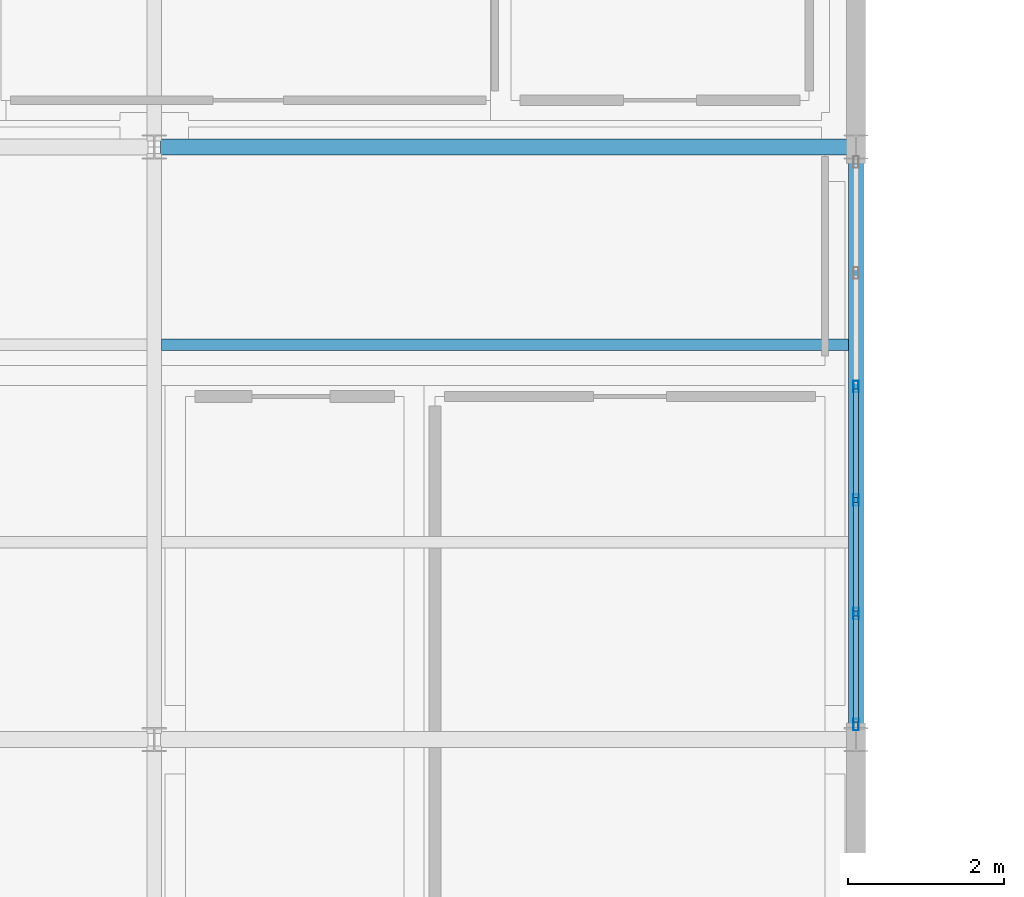
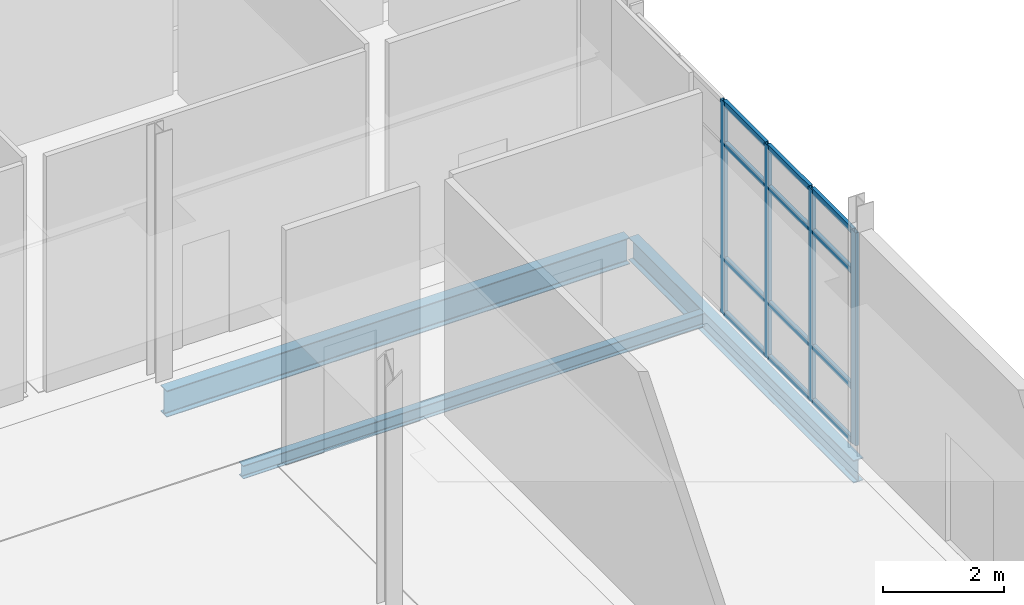
# One storey, part 118 of 161: 16 members, 3 beams, 1 element without a shape of its own.
"""IFC4 building model written with IfcOpenShell, lengths in metres."""

import ifcopenshell
import ifcopenshell.guid

model = None  # the IFC model being written
_history = None  # IfcOwnerHistory: only IFC2X3 demands one
_inside = {}  # id of a spatial element -> (the spatial element, [elements in it])
_under = {}  # id of a project, library or spatial element -> (it, [spatial elements below it])
_declared = {}  # id of a project -> (the project, [libraries it declares])
_typed = {}  # id of a type object -> (the type object, [elements of that type])
_made_of = {}  # id of a material, layer set ... -> (it, [elements and type objects made of it])


def new_model(schema):
    """Start an empty IFC model of exactly this schema.

    Asked for "IFC4X3", IfcOpenShell would pick the latest addendum, in which some entities
    have other attributes; the version numbers below select the first issue.
    IFC2X3 requires an IfcOwnerHistory on every rooted entity: one is made here for all.
    """
    global model, _history
    if schema == "IFC4X3":
        model = ifcopenshell.file(schema_version=(4, 3, 0, 0))
    else:
        model = ifcopenshell.file(schema=schema)
    _inside.clear()
    _under.clear()
    _declared.clear()
    _typed.clear()
    _made_of.clear()
    _history = None
    if model.schema == "IFC2X3":
        org = make("IfcOrganization", Name="unknown")
        user = make(
            "IfcPersonAndOrganization",
            ThePerson=make("IfcPerson", FamilyName="unknown"),
            TheOrganization=org,
        )
        app = make(
            "IfcApplication",
            ApplicationDeveloper=org,
            Version="unknown",
            ApplicationFullName="unknown",
            ApplicationIdentifier="unknown",
        )
        _history = make(
            "IfcOwnerHistory",
            OwningUser=user,
            OwningApplication=app,
            ChangeAction="ADDED",
            CreationDate=0,
        )
    return model


def make(cls, **values):
    """One entity of the class cls with the attributes given. An attribute that is None is left unset."""
    return model.create_entity(
        cls, **{name: value for name, value in values.items() if value is not None}
    )


def rooted(cls, **values):
    """An entity with a GlobalId (a new one), such as an element, a storey or a relation."""
    return make(cls, GlobalId=ifcopenshell.guid.new(), OwnerHistory=_history, **values)


def si_unit(unit_type, name, prefix=None):
    """IfcSIUnit, for example si_unit("LENGTHUNIT", "METRE", prefix="MILLI")."""
    return make("IfcSIUnit", UnitType=unit_type, Prefix=prefix, Name=name)


def assignment(units):
    """IfcUnitAssignment: the units of a project."""
    return None if units is None else make("IfcUnitAssignment", Units=units)


def point(xyz):
    """IfcCartesianPoint."""
    return None if xyz is None else make("IfcCartesianPoint", Coordinates=xyz)


def direction(xyz):
    """IfcDirection."""
    return None if xyz is None else make("IfcDirection", DirectionRatios=xyz)


def frame(location, z_axis=None, x_axis=None):
    """IfcAxis2Placement3D, a coordinate frame: its origin and axes. An axis left out is left unset."""
    return make(
        "IfcAxis2Placement3D",
        Location=point(location),
        Axis=direction(z_axis),
        RefDirection=direction(x_axis),
    )


def frame_2d(location, x_axis=None):
    """IfcAxis2Placement2D, a coordinate frame in the plane: its origin and x axis."""
    return make(
        "IfcAxis2Placement2D", Location=point(location), RefDirection=direction(x_axis)
    )


def origin():
    """The frame at (0, 0, 0) with its axes left unset."""
    return frame((0.0, 0.0, 0.0))


def origin_2d():
    """The frame at (0, 0) in the plane with its x axis left unset."""
    return frame_2d((0.0, 0.0))


def place(relative_to, where):
    """IfcLocalPlacement: puts the frame where relative to a parent placement (None: the world)."""
    return make(
        "IfcLocalPlacement", PlacementRelTo=relative_to, RelativePlacement=where
    )


def context(
    kind, dimensions, precision=None, world=None, true_north=None, identifier=None
):
    """IfcGeometricRepresentationContext, for example the 3D "Model" context."""
    return make(
        "IfcGeometricRepresentationContext",
        ContextIdentifier=identifier,
        ContextType=kind,
        CoordinateSpaceDimension=dimensions,
        Precision=precision,
        WorldCoordinateSystem=world,
        TrueNorth=true_north,
    )


def subcontext(parent, identifier, kind, view, scale=None):
    """IfcGeometricRepresentationSubContext, for example "Body" below "Model"."""
    return make(
        "IfcGeometricRepresentationSubContext",
        ContextIdentifier=identifier,
        ContextType=kind,
        ParentContext=parent,
        TargetScale=scale,
        TargetView=view,
    )


def project(units=None, contexts=None):
    """IfcProject with its units and contexts."""
    return rooted(
        "IfcProject",
        Name="project",
        RepresentationContexts=contexts,
        UnitsInContext=assignment(units),
    )


def spatial(cls, under=None, at=None, **own):
    """A site, building, storey or space (cls), placed at a placement, below another one or the project."""
    s = rooted(cls, ObjectPlacement=at, **own)
    if under is not None:
        _under.setdefault(under.id(), (under, []))[1].append(s)
    return s


def profile(cls, at=None, kind="AREA", **sizes):
    """A parametric profile (cls). Its sizes go by their IFC names, for example OverallWidth=200.0."""
    return make(cls, ProfileType=kind, Position=at, **sizes)


def hollow_rectangle(**sizes):
    """IfcRectangleHollowProfileDef."""
    return profile("IfcRectangleHollowProfileDef", **sizes)


def i_section(**sizes):
    """IfcIShapeProfileDef."""
    return profile("IfcIShapeProfileDef", **sizes)


def extrude(swept, where, along, depth):
    """IfcExtrudedAreaSolid: the profile swept, set in the frame where, extruded along a direction by depth."""
    return make(
        "IfcExtrudedAreaSolid",
        SweptArea=swept,
        Position=where,
        ExtrudedDirection=direction(along),
        Depth=depth,
    )


def shape(context_of_items, identifier, shape_type, items):
    """IfcShapeRepresentation: the items that make up one representation, for example the "Body"."""
    return make(
        "IfcShapeRepresentation",
        ContextOfItems=context_of_items,
        RepresentationIdentifier=identifier,
        RepresentationType=shape_type,
        Items=items,
    )


def material(Name=None, Category=None):
    """IfcMaterial."""
    return make("IfcMaterial", Name=Name, Category=Category)


def material_profile(
    of_material, cross_section, Name=None, Category=None, Priority=None
):
    """IfcMaterialProfile: a cross section and its material."""
    return make(
        "IfcMaterialProfile",
        Name=Name,
        Material=of_material,
        Profile=cross_section,
        Priority=Priority,
        Category=Category,
    )


def profile_set(profiles, Name=None, composite=None):
    """IfcMaterialProfileSet."""
    return make(
        "IfcMaterialProfileSet",
        Name=Name,
        MaterialProfiles=profiles,
        CompositeProfile=composite,
    )


def made_of(thing, what):
    """Note that an element or type object is made of a material, layer set ...; save() writes the relation."""
    if what is not None:
        _made_of.setdefault(what.id(), (what, []))[1].append(thing)
    return thing


def type_object(cls, material=None, **own):
    """A type object (cls), such as IfcWallType, which elements share."""
    return made_of(rooted(cls, **own), material)


def element(
    cls,
    number,
    at=None,
    inside=None,
    cuts=None,
    type_object=None,
    material=None,
    context=None,
    identifier="Body",
    shape_type=None,
    held_by="IfcProductDefinitionShape",
    body=None,
    shapes=None,
    **own,
):
    """One element of the class cls, such as IfcWall. Its Tag is "e" and its number.

    at: its placement. inside: the storey or other place that contains it. cuts: it is an
    opening in that element (IfcRelVoidsElement). A single representation is given by context,
    identifier, shape_type and body (its items); several are given by shapes. held_by: the class
    of the entity that holds the representations. save() writes the other relations.
    """
    e = rooted(cls, Tag="e%d" % number, ObjectPlacement=at, **own)
    if body is not None:
        shapes = [shape(context, identifier, shape_type, body)]
    if shapes is not None:
        e.Representation = make(held_by, Representations=shapes)
    if inside is not None:
        _inside.setdefault(inside.id(), (inside, []))[1].append(e)
    if cuts is not None:
        rooted(
            "IfcRelVoidsElement", RelatingBuildingElement=cuts, RelatedOpeningElement=e
        )
    if type_object is not None:
        _typed.setdefault(type_object.id(), (type_object, []))[1].append(e)
    return made_of(e, material)


def aggregate(whole, parts):
    """IfcRelAggregates: a whole, such as a stair, and the parts it consists of."""
    return rooted("IfcRelAggregates", RelatingObject=whole, RelatedObjects=parts)


def save(model, path):
    """Write the relations noted so far, then the file.

    IfcRelAggregates (storeys below a building ...), IfcRelContainedInSpatialStructure (elements
    in a storey), IfcRelDefinesByType, IfcRelAssociatesMaterial and IfcRelDeclares: one each for
    every whole, place, type object, material and project.
    """
    for whole, parts in _under.values():
        aggregate(whole, parts)
    for where, things in _inside.values():
        rooted(
            "IfcRelContainedInSpatialStructure",
            RelatedElements=things,
            RelatingStructure=where,
        )
    for kind, things in _typed.values():
        rooted("IfcRelDefinesByType", RelatedObjects=things, RelatingType=kind)
    for what, things in _made_of.values():
        rooted("IfcRelAssociatesMaterial", RelatedObjects=things, RelatingMaterial=what)
    for by, libraries in _declared.values():
        rooted("IfcRelDeclares", RelatingContext=by, RelatedDefinitions=libraries)
    model.write(path)


model = new_model("IFC4")

# Units and contexts
model_context = context("Model", 3, precision=1e-05, world=origin(), true_north=direction((0.0, 1.0)))
body_context = subcontext(model_context, "Body", "Model", "MODEL_VIEW")
ifc_project = project(units=[si_unit("LENGTHUNIT", "METRE"), si_unit("AREAUNIT", "SQUARE_METRE"), si_unit("VOLUMEUNIT", "CUBIC_METRE"), si_unit("PLANEANGLEUNIT", "RADIAN"), si_unit("MASSUNIT", "GRAM", prefix="KILO")], contexts=[model_context])

# Site, building, storey
site_placement = place(None, origin())
site = spatial("IfcSite", under=ifc_project, at=site_placement, CompositionType="ELEMENT")
building_placement = place(site_placement, origin())
building = spatial("IfcBuilding", under=site, at=building_placement, Name="Caisbarro Railhouse Central Library", CompositionType="ELEMENT")
storey_placement = place(building_placement, origin())
storey = spatial("IfcBuildingStorey", under=building, at=storey_placement, Name="L00", CompositionType="ELEMENT", Elevation=0.0)

# Beams
ifc_material_1 = material(Name="Steel ASTM A572 Grade 50", Category="steel")
ifc_material_profile_1 = material_profile(ifc_material_1, i_section(OverallWidth=0.208984375, OverallDepth=0.532958984375, WebThickness=0.01025390625, FlangeThickness=0.015625, FilletRadius=0.02001953125, at=origin_2d()), Name="W530X92.0")
ifc_profile_set_1 = profile_set([ifc_material_profile_1], Name="Steel ASTM A572 Grade 50")
beam_type_1 = type_object("IfcBeamType", Name="BM-G06", PredefinedType="BEAM", material=ifc_profile_set_1)
beam_1_placement = place(storey_placement, frame((144.080078125, 106.39990234375, -0.5166015625), z_axis=(1.0, 0.0, 0.0), x_axis=(0.0, 1.0, 0.0)))
element("IfcBeam", 1, at=beam_1_placement, inside=storey, type_object=beam_type_1, Name="G06 beam L00 #517", PredefinedType="BEAM", context=body_context, shape_type="SweptSolid", body=[
    extrude(i_section(OverallWidth=0.208984375, OverallDepth=0.532958984375, WebThickness=0.01025390625, FlangeThickness=0.015625, FilletRadius=0.02001953125, at=origin_2d()), origin(), (0.0, 0.0, 1.0), 8.83984375),
])
ifc_material_profile_2 = material_profile(ifc_material_1, i_section(OverallWidth=0.18994140625, OverallDepth=0.45703125, WebThickness=0.009033203125, FlangeThickness=0.014404296875, FilletRadius=0.01806640625, at=origin_2d()), Name="W460X74.0")
ifc_profile_set_2 = profile_set([ifc_material_profile_2], Name="Steel ASTM A572 Grade 50")
beam_type_2 = type_object("IfcBeamType", Name="BM-G08", PredefinedType="BEAM", material=ifc_profile_set_2)
beam_2_placement = place(storey_placement, frame((153.0, 98.8798828125, -0.478515625), z_axis=(0.0, 1.0, 0.0), x_axis=(-1.0, 0.0, 0.0)))
element("IfcBeam", 2, at=beam_2_placement, inside=storey, type_object=beam_type_2, Name="G08 beam L00 #555", PredefinedType="BEAM", context=body_context, shape_type="SweptSolid", body=[
    extrude(i_section(OverallWidth=0.18994140625, OverallDepth=0.45703125, WebThickness=0.009033203125, FlangeThickness=0.014404296875, FilletRadius=0.01806640625, at=origin_2d()), origin(), (0.0, 0.0, 1.0), 7.440185546875),
])
ifc_material_profile_3 = material_profile(ifc_material_1, i_section(OverallWidth=0.14794921875, OverallDepth=0.26611328125, WebThickness=0.007568359375, FlangeThickness=0.012939453125, FilletRadius=0.010009765625, at=origin_2d()), Name="W250X44.8")
ifc_profile_set_3 = profile_set([ifc_material_profile_3], Name="Steel ASTM A572 Grade 50")
beam_type_3 = type_object("IfcBeamType", Name="BM-J04", PredefinedType="JOIST", material=ifc_profile_set_3)
beam_3_placement = place(storey_placement, frame((144.094970703125, 103.86669921875, -0.383056640625), z_axis=(1.0, 0.0, 0.0), x_axis=(0.0, 1.0, 0.0)))
element("IfcBeam", 3, at=beam_3_placement, inside=storey, type_object=beam_type_3, Name="J04 beam L00 #610", PredefinedType="JOIST", context=body_context, shape_type="SweptSolid", body=[
    extrude(i_section(OverallWidth=0.14794921875, OverallDepth=0.26611328125, WebThickness=0.007568359375, FlangeThickness=0.012939453125, FilletRadius=0.010009765625, at=origin_2d()), origin(), (0.0, 0.0, 1.0), 8.81005859375),
])

# Curtain wall, members
ifc_material_2 = material(Name="Anodised architectural aluminium", Category="aluminium")
curtain_wall_type = type_object("IfcCurtainWallType", Name="CW-CW03", PredefinedType="NOTDEFINED", material=ifc_material_2)
curtain_wall_placement = place(storey_placement, origin())
curtain_wall = element("IfcCurtainWall", 4, at=curtain_wall_placement, inside=storey, type_object=curtain_wall_type, Name="CW03 curtain wall L00 #109", PredefinedType="NOTDEFINED")
ifc_material_profile_4 = material_profile(ifc_material_2, hollow_rectangle(XDim=0.06494140625, YDim=0.14990234375, WallThickness=0.00390625, at=origin_2d()), Name="ALU-MUL-65X150")
ifc_profile_set_4 = profile_set([ifc_material_profile_4], Name="Anodised architectural aluminium")
member_type_1 = type_object("IfcMemberType", Name="CWM-M02", PredefinedType="MULLION", material=ifc_profile_set_4)
member_1_placement = place(storey_placement, frame((153.0, 98.992431640625, 0.0), z_axis=(0.0, 0.0, 1.0), x_axis=(-1.0, 0.0, 0.0)))
member_1 = element("IfcMember", 5, at=member_1_placement, type_object=member_type_1, Name="CW03 mullion 1", PredefinedType="MULLION", context=body_context, shape_type="SweptSolid", body=[
    extrude(hollow_rectangle(XDim=0.06494140625, YDim=0.14990234375, WallThickness=0.00390625, at=origin_2d()), origin(), (0.0, 0.0, 1.0), 4.300048828125),
])
member_2_placement = place(storey_placement, frame((153.0, 100.416015625, 0.0), z_axis=(0.0, 0.0, 1.0), x_axis=(-1.0, 0.0, 0.0)))
member_2 = element("IfcMember", 6, at=member_2_placement, type_object=member_type_1, Name="CW03 mullion 2", PredefinedType="MULLION", context=body_context, shape_type="SweptSolid", body=[
    extrude(hollow_rectangle(XDim=0.06494140625, YDim=0.14990234375, WallThickness=0.00390625, at=origin_2d()), origin(), (0.0, 0.0, 1.0), 4.300048828125),
])
member_3_placement = place(storey_placement, frame((153.0, 101.8720703125, 0.0), z_axis=(0.0, 0.0, 1.0), x_axis=(-1.0, 0.0, 0.0)))
member_3 = element("IfcMember", 7, at=member_3_placement, type_object=member_type_1, Name="CW03 mullion 3", PredefinedType="MULLION", context=body_context, shape_type="SweptSolid", body=[
    extrude(hollow_rectangle(XDim=0.06494140625, YDim=0.14990234375, WallThickness=0.00390625, at=origin_2d()), origin(), (0.0, 0.0, 1.0), 4.300048828125),
])
member_4_placement = place(storey_placement, frame((153.0, 103.327880859375, 0.0), z_axis=(0.0, 0.0, 1.0), x_axis=(-1.0, 0.0, 0.0)))
member_4 = element("IfcMember", 8, at=member_4_placement, type_object=member_type_1, Name="CW03 mullion 4", PredefinedType="MULLION", context=body_context, shape_type="SweptSolid", body=[
    extrude(hollow_rectangle(XDim=0.06494140625, YDim=0.14990234375, WallThickness=0.00390625, at=origin_2d()), origin(), (0.0, 0.0, 1.0), 4.300048828125),
])
ifc_material_profile_5 = material_profile(ifc_material_2, hollow_rectangle(XDim=0.06494140625, YDim=0.1201171875, WallThickness=0.00341796875, at=origin_2d()), Name="ALU-TRN-65X120")
ifc_profile_set_5 = profile_set([ifc_material_profile_5], Name="Anodised architectural aluminium")
member_type_2 = type_object("IfcMemberType", Name="CWT-T02", PredefinedType="USERDEFINED", material=ifc_profile_set_5)
member_5_placement = place(storey_placement, frame((153.0, 99.02490234375, 0.032470703125), z_axis=(0.0, 1.0, 0.0), x_axis=(-1.0, 0.0, 0.0)))
member_5 = element("IfcMember", 9, at=member_5_placement, type_object=member_type_2, Name="CW03 transom 1.1", ObjectType="TRANSOM", PredefinedType="USERDEFINED", context=body_context, shape_type="SweptSolid", body=[
    extrude(hollow_rectangle(XDim=0.06494140625, YDim=0.1201171875, WallThickness=0.00341796875, at=origin_2d()), origin(), (0.0, 0.0, 1.0), 1.358642578125),
])
member_6_placement = place(storey_placement, frame((153.0, 99.02490234375, 1.1201171875), z_axis=(0.0, 1.0, 0.0), x_axis=(-1.0, 0.0, 0.0)))
member_6 = element("IfcMember", 10, at=member_6_placement, type_object=member_type_2, Name="CW03 transom 1.2", ObjectType="TRANSOM", PredefinedType="USERDEFINED", context=body_context, shape_type="SweptSolid", body=[
    extrude(hollow_rectangle(XDim=0.06494140625, YDim=0.1201171875, WallThickness=0.00341796875, at=origin_2d()), origin(), (0.0, 0.0, 1.0), 1.358642578125),
])
member_7_placement = place(storey_placement, frame((153.0, 99.02490234375, 3.449951171875), z_axis=(0.0, 1.0, 0.0), x_axis=(-1.0, 0.0, 0.0)))
member_7 = element("IfcMember", 11, at=member_7_placement, type_object=member_type_2, Name="CW03 transom 1.3", ObjectType="TRANSOM", PredefinedType="USERDEFINED", context=body_context, shape_type="SweptSolid", body=[
    extrude(hollow_rectangle(XDim=0.06494140625, YDim=0.1201171875, WallThickness=0.00341796875, at=origin_2d()), origin(), (0.0, 0.0, 1.0), 1.358642578125),
])
member_8_placement = place(storey_placement, frame((153.0, 99.02490234375, 4.267578125), z_axis=(0.0, 1.0, 0.0), x_axis=(-1.0, 0.0, 0.0)))
member_8 = element("IfcMember", 12, at=member_8_placement, type_object=member_type_2, Name="CW03 transom 1.4", ObjectType="TRANSOM", PredefinedType="USERDEFINED", context=body_context, shape_type="SweptSolid", body=[
    extrude(hollow_rectangle(XDim=0.06494140625, YDim=0.1201171875, WallThickness=0.00341796875, at=origin_2d()), origin(), (0.0, 0.0, 1.0), 1.358642578125),
])
member_9_placement = place(storey_placement, frame((153.0, 100.448486328125, 0.032470703125), z_axis=(0.0, 1.0, 0.0), x_axis=(-1.0, 0.0, 0.0)))
member_9 = element("IfcMember", 13, at=member_9_placement, type_object=member_type_2, Name="CW03 transom 2.1", ObjectType="TRANSOM", PredefinedType="USERDEFINED", context=body_context, shape_type="SweptSolid", body=[
    extrude(hollow_rectangle(XDim=0.06494140625, YDim=0.1201171875, WallThickness=0.00341796875, at=origin_2d()), origin(), (0.0, 0.0, 1.0), 1.39111328125),
])
member_10_placement = place(storey_placement, frame((153.0, 100.448486328125, 1.1201171875), z_axis=(0.0, 1.0, 0.0), x_axis=(-1.0, 0.0, 0.0)))
member_10 = element("IfcMember", 14, at=member_10_placement, type_object=member_type_2, Name="CW03 transom 2.2", ObjectType="TRANSOM", PredefinedType="USERDEFINED", context=body_context, shape_type="SweptSolid", body=[
    extrude(hollow_rectangle(XDim=0.06494140625, YDim=0.1201171875, WallThickness=0.00341796875, at=origin_2d()), origin(), (0.0, 0.0, 1.0), 1.39111328125),
])
member_11_placement = place(storey_placement, frame((153.0, 100.448486328125, 3.449951171875), z_axis=(0.0, 1.0, 0.0), x_axis=(-1.0, 0.0, 0.0)))
member_11 = element("IfcMember", 15, at=member_11_placement, type_object=member_type_2, Name="CW03 transom 2.3", ObjectType="TRANSOM", PredefinedType="USERDEFINED", context=body_context, shape_type="SweptSolid", body=[
    extrude(hollow_rectangle(XDim=0.06494140625, YDim=0.1201171875, WallThickness=0.00341796875, at=origin_2d()), origin(), (0.0, 0.0, 1.0), 1.39111328125),
])
member_12_placement = place(storey_placement, frame((153.0, 100.448486328125, 4.267578125), z_axis=(0.0, 1.0, 0.0), x_axis=(-1.0, 0.0, 0.0)))
member_12 = element("IfcMember", 16, at=member_12_placement, type_object=member_type_2, Name="CW03 transom 2.4", ObjectType="TRANSOM", PredefinedType="USERDEFINED", context=body_context, shape_type="SweptSolid", body=[
    extrude(hollow_rectangle(XDim=0.06494140625, YDim=0.1201171875, WallThickness=0.00341796875, at=origin_2d()), origin(), (0.0, 0.0, 1.0), 1.39111328125),
])
member_13_placement = place(storey_placement, frame((153.0, 101.904541015625, 0.032470703125), z_axis=(0.0, 1.0, 0.0), x_axis=(-1.0, 0.0, 0.0)))
member_13 = element("IfcMember", 17, at=member_13_placement, type_object=member_type_2, Name="CW03 transom 3.1", ObjectType="TRANSOM", PredefinedType="USERDEFINED", context=body_context, shape_type="SweptSolid", body=[
    extrude(hollow_rectangle(XDim=0.06494140625, YDim=0.1201171875, WallThickness=0.00341796875, at=origin_2d()), origin(), (0.0, 0.0, 1.0), 1.390869140625),
])
member_14_placement = place(storey_placement, frame((153.0, 101.904541015625, 1.1201171875), z_axis=(0.0, 1.0, 0.0), x_axis=(-1.0, 0.0, 0.0)))
member_14 = element("IfcMember", 18, at=member_14_placement, type_object=member_type_2, Name="CW03 transom 3.2", ObjectType="TRANSOM", PredefinedType="USERDEFINED", context=body_context, shape_type="SweptSolid", body=[
    extrude(hollow_rectangle(XDim=0.06494140625, YDim=0.1201171875, WallThickness=0.00341796875, at=origin_2d()), origin(), (0.0, 0.0, 1.0), 1.390869140625),
])
member_15_placement = place(storey_placement, frame((153.0, 101.904541015625, 3.449951171875), z_axis=(0.0, 1.0, 0.0), x_axis=(-1.0, 0.0, 0.0)))
member_15 = element("IfcMember", 19, at=member_15_placement, type_object=member_type_2, Name="CW03 transom 3.3", ObjectType="TRANSOM", PredefinedType="USERDEFINED", context=body_context, shape_type="SweptSolid", body=[
    extrude(hollow_rectangle(XDim=0.06494140625, YDim=0.1201171875, WallThickness=0.00341796875, at=origin_2d()), origin(), (0.0, 0.0, 1.0), 1.390869140625),
])
member_16_placement = place(storey_placement, frame((153.0, 101.904541015625, 4.267578125), z_axis=(0.0, 1.0, 0.0), x_axis=(-1.0, 0.0, 0.0)))
member_16 = element("IfcMember", 20, at=member_16_placement, type_object=member_type_2, Name="CW03 transom 3.4", ObjectType="TRANSOM", PredefinedType="USERDEFINED", context=body_context, shape_type="SweptSolid", body=[
    extrude(hollow_rectangle(XDim=0.06494140625, YDim=0.1201171875, WallThickness=0.00341796875, at=origin_2d()), origin(), (0.0, 0.0, 1.0), 1.390869140625),
])
aggregate(curtain_wall, [member_1, member_2, member_3, member_4, member_5, member_6, member_7, member_8, member_9, member_10, member_11, member_12, member_13, member_14, member_15, member_16])

save(model, "model.ifc")
